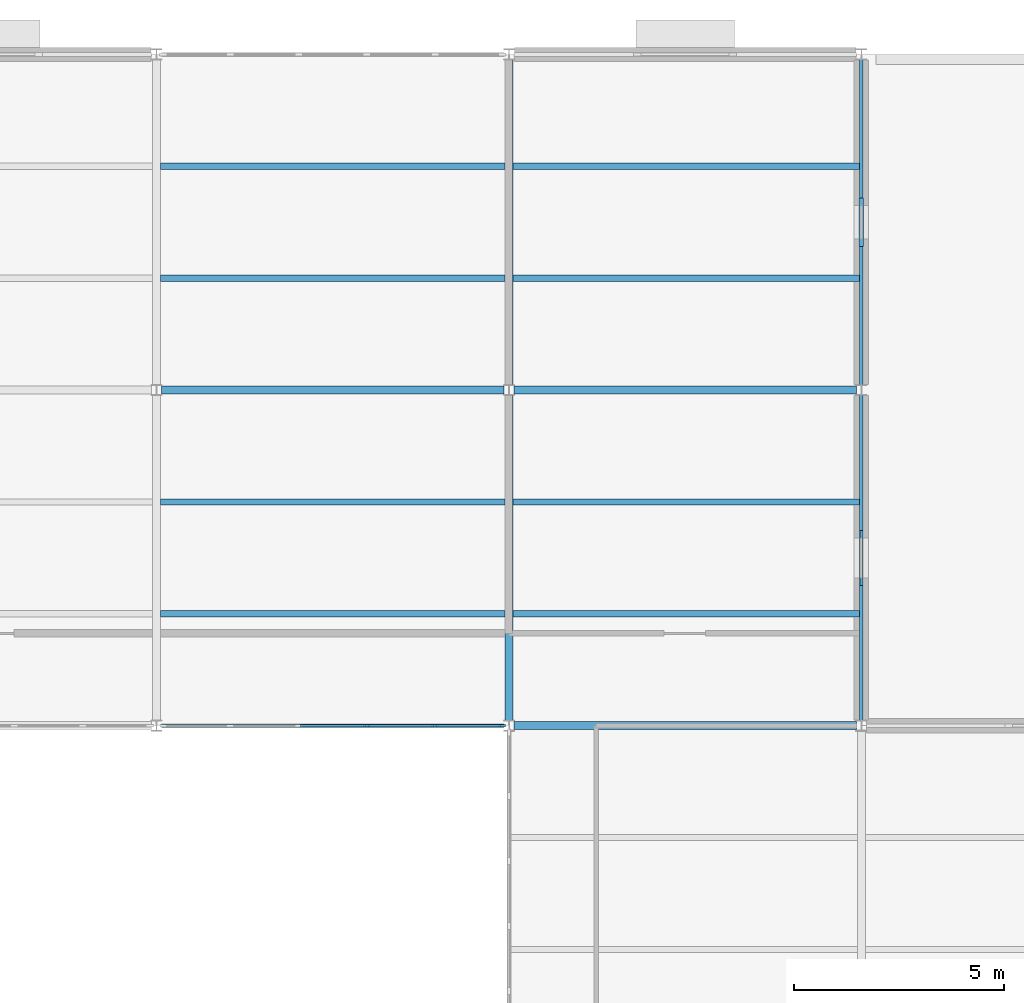
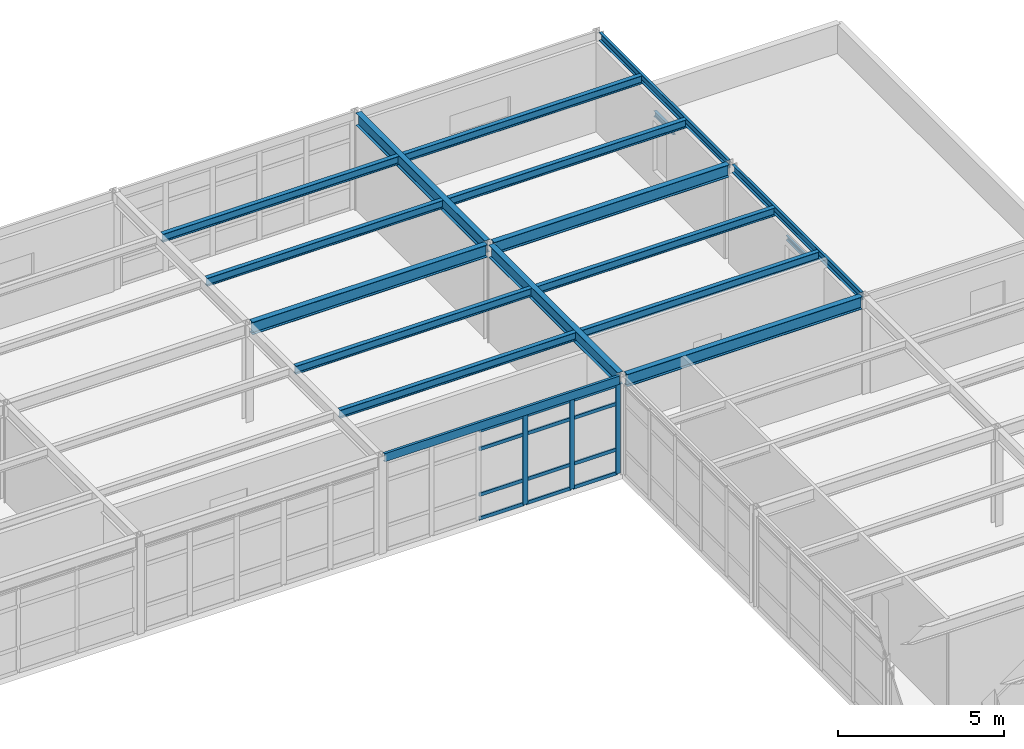
# One storey, part 29 of 53: 18 beams, 15 members, 1 element without a shape of its own.
"""IFC4 building model written with IfcOpenShell, lengths in metres."""

from ifc_helpers import new_model, si_unit, direction, frame, origin, origin_2d, place, context, subcontext, project, spatial, rectangle, i_section, u_section, extrude, material, layer, layer_set, material_profile, profile_set, type_object, element, aggregate, save


model = new_model("IFC4")

# Units and contexts
model_context = context("Model", 3, precision=1e-05, world=origin(), true_north=direction((0.0, 1.0)))
body_context = subcontext(model_context, "Body", "Model", "MODEL_VIEW")
ifc_project = project(units=[si_unit("LENGTHUNIT", "METRE"), si_unit("AREAUNIT", "SQUARE_METRE"), si_unit("VOLUMEUNIT", "CUBIC_METRE"), si_unit("PLANEANGLEUNIT", "RADIAN"), si_unit("MASSUNIT", "GRAM", prefix="KILO")], contexts=[model_context])

# Site, building, storey
site_placement = place(None, origin())
site = spatial("IfcSite", under=ifc_project, at=site_placement, CompositionType="ELEMENT")
building_placement = place(site_placement, origin())
building = spatial("IfcBuilding", under=site, at=building_placement, Name="Kranzveld Transit Interchange", CompositionType="ELEMENT")
storey_placement = place(building_placement, frame((0.0, 0.0, 13.360107421875)))
storey = spatial("IfcBuildingStorey", under=building, at=storey_placement, Name="L03", CompositionType="ELEMENT", Elevation=13.360107421875)

# Beams
ifc_material_1 = material(Name="Steel S355JR", Category="steel")
ifc_material_profile_1 = material_profile(ifc_material_1, i_section(OverallWidth=0.18994140625, OverallDepth=0.453369140625, WebThickness=0.008544921875, FlangeThickness=0.0126953125, FilletRadius=0.01025390625, at=origin_2d()), Name="UB 457x191x67")
ifc_profile_set_1 = profile_set([ifc_material_profile_1], Name="Steel S355JR")
beam_type_1 = type_object("IfcBeamType", Name="Beam Steel UB 457x191x67 S355JR", PredefinedType="BEAM", material=ifc_profile_set_1)
for number, where, z_axis, x_axis, name in (
    (1, (151.199951171875, 96.1201171875, 3.353271484375), (0.0, 1.0, 0.0), (-1.0, 0.0, 0.0), "L03 Girder 19/N-P"),
    (2, (151.199951171875, 104.1201171875, 3.353271484375), (0.0, 1.0, 0.0), (-1.0, 0.0, 0.0), "L03 Girder 19/P-Q"),
):
    element("IfcBeam", number, at=place(storey_placement, frame(where, z_axis=z_axis, x_axis=x_axis)), inside=storey, type_object=beam_type_1, Name=name, PredefinedType="BEAM", context=body_context, shape_type="SweptSolid", body=[
        extrude(i_section(OverallWidth=0.18994140625, OverallDepth=0.453369140625, WebThickness=0.008544921875, FlangeThickness=0.0126953125, FilletRadius=0.01025390625, at=origin_2d()), origin(), (0.0, 0.0, 1.0), 7.759765625),
    ])
ifc_material_2 = material(Name="Steel S355JR", Category="steel")
ifc_material_profile_2 = material_profile(ifc_material_2, i_section(OverallWidth=0.1904296875, OverallDepth=0.45703125, WebThickness=0.009033203125, FlangeThickness=0.014404296875, FilletRadius=0.01025390625, at=origin_2d()), Name="UB 457x191x74")
ifc_profile_set_2 = profile_set([ifc_material_profile_2], Name="Steel S355JR")
beam_type_2 = type_object("IfcBeamType", Name="Beam Steel UB 457x191x74 S355JR", PredefinedType="BEAM", material=ifc_profile_set_2)
beam_1_placement = place(storey_placement, frame((151.318115234375, 96.0, 3.351318359375), z_axis=(1.0, 0.0, 0.0), x_axis=(0.0, 1.0, 0.0)))
element("IfcBeam", 3, at=beam_1_placement, inside=storey, type_object=beam_type_2, Name="L03 Girder 19-20/N", PredefinedType="BEAM", context=body_context, shape_type="SweptSolid", body=[
    extrude(i_section(OverallWidth=0.1904296875, OverallDepth=0.45703125, WebThickness=0.009033203125, FlangeThickness=0.014404296875, FilletRadius=0.01025390625, at=origin_2d()), origin(), (0.0, 0.0, 1.0), 8.163818359375),
])
beam_2_placement = place(storey_placement, frame((142.918212890625, 104.0, 3.351318359375), z_axis=(1.0, 0.0, 0.0), x_axis=(0.0, 1.0, 0.0)))
element("IfcBeam", 4, at=beam_2_placement, inside=storey, type_object=beam_type_2, Name="L03 Girder 18-19/P", PredefinedType="BEAM", context=body_context, shape_type="SweptSolid", body=[
    extrude(i_section(OverallWidth=0.1904296875, OverallDepth=0.45703125, WebThickness=0.009033203125, FlangeThickness=0.014404296875, FilletRadius=0.01025390625, at=origin_2d()), origin(), (0.0, 0.0, 1.0), 8.16357421875),
])
beam_3_placement = place(storey_placement, frame((151.318115234375, 104.0, 3.351318359375), z_axis=(1.0, 0.0, 0.0), x_axis=(0.0, 1.0, 0.0)))
element("IfcBeam", 5, at=beam_3_placement, inside=storey, type_object=beam_type_2, Name="L03 Girder 19-20/P", PredefinedType="BEAM", context=body_context, shape_type="SweptSolid", body=[
    extrude(i_section(OverallWidth=0.1904296875, OverallDepth=0.45703125, WebThickness=0.009033203125, FlangeThickness=0.014404296875, FilletRadius=0.01025390625, at=origin_2d()), origin(), (0.0, 0.0, 1.0), 8.163818359375),
])

# Curtain wall, members
ifc_material_3 = material(Name="Bronze-anodised thermally broken aluminium", Category="aluminium")
ifc_layer = layer(ifc_material_3, 0.1650390625)
ifc_layer_set = layer_set([ifc_layer], Name="Bronze-anodised thermally broken aluminium")
curtain_wall_type = type_object("IfcCurtainWallType", Name="Sunny Court Arcade Curtain Wall CW-2", PredefinedType="USERDEFINED", material=ifc_layer_set)
curtain_wall_placement = place(storey_placement, origin())
curtain_wall = element("IfcCurtainWall", 6, at=curtain_wall_placement, inside=storey, type_object=curtain_wall_type, Name="L03 Curtain Wall 18/N-19/N", ObjectType="CURTAIN WALL", PredefinedType="USERDEFINED")
ifc_material_4 = material(Name="Bronze-anodised thermally broken aluminium", Category="aluminium")
ifc_material_profile_3 = material_profile(ifc_material_4, rectangle(XDim=0.06494140625, YDim=0.1650390625, at=origin_2d()), Name="ALU MULLION 65x165")
ifc_profile_set_3 = profile_set([ifc_material_profile_3], Name="Bronze-anodised thermally broken aluminium")
member_type_1 = type_object("IfcMemberType", Name="Curtain Wall Mullion 65x165 Alu", PredefinedType="MULLION", material=ifc_profile_set_3)
member_1_placement = place(storey_placement, frame((147.814453125, 96.0, 0.0), z_axis=(0.0, 0.0, 1.0), x_axis=(0.0, 1.0, 0.0)))
member_1 = element("IfcMember", 7, at=member_1_placement, type_object=member_type_1, Name="CW-2 mullion 4", PredefinedType="MULLION", context=body_context, shape_type="SweptSolid", body=[
    extrude(rectangle(XDim=0.06494140625, YDim=0.1650390625, at=origin_2d()), origin(), (0.0, 0.0, 1.0), 3.27978515625),
])
member_2_placement = place(storey_placement, frame((149.443115234375, 96.0, 0.0), z_axis=(0.0, 0.0, 1.0), x_axis=(0.0, 1.0, 0.0)))
member_2 = element("IfcMember", 8, at=member_2_placement, type_object=member_type_1, Name="CW-2 mullion 5", PredefinedType="MULLION", context=body_context, shape_type="SweptSolid", body=[
    extrude(rectangle(XDim=0.06494140625, YDim=0.1650390625, at=origin_2d()), origin(), (0.0, 0.0, 1.0), 3.27978515625),
])
member_3_placement = place(storey_placement, frame((151.039306640625, 96.0, 0.0), z_axis=(0.0, 0.0, 1.0), x_axis=(0.0, 1.0, 0.0)))
member_3 = element("IfcMember", 9, at=member_3_placement, type_object=member_type_1, Name="CW-2 mullion 6", PredefinedType="MULLION", context=body_context, shape_type="SweptSolid", body=[
    extrude(rectangle(XDim=0.06494140625, YDim=0.1650390625, at=origin_2d()), origin(), (0.0, 0.0, 1.0), 3.27978515625),
])
ifc_material_5 = material(Name="Bronze-anodised thermally broken aluminium", Category="aluminium")
ifc_material_profile_4 = material_profile(ifc_material_5, rectangle(XDim=0.06005859375, YDim=0.125, at=origin_2d()), Name="ALU TRANSOM 60x125")
ifc_profile_set_4 = profile_set([ifc_material_profile_4], Name="Bronze-anodised thermally broken aluminium")
member_type_2 = type_object("IfcMemberType", Name="Curtain Wall Transom 60x125 Alu", PredefinedType="USERDEFINED", material=ifc_profile_set_4)
member_4_placement = place(storey_placement, frame((146.218017578125, 96.0, 0.02978515625), z_axis=(1.0, 0.0, 0.0), x_axis=(0.0, 1.0, 0.0)))
member_4 = element("IfcMember", 10, at=member_4_placement, type_object=member_type_2, Name="CW-2 transom 3.1", ObjectType="TRANSOM", PredefinedType="USERDEFINED", context=body_context, shape_type="SweptSolid", body=[
    extrude(rectangle(XDim=0.06005859375, YDim=0.125, at=origin_2d()), origin(), (0.0, 0.0, 1.0), 1.56396484375),
])
member_5_placement = place(storey_placement, frame((146.218017578125, 96.0, 0.89990234375), z_axis=(1.0, 0.0, 0.0), x_axis=(0.0, 1.0, 0.0)))
member_5 = element("IfcMember", 11, at=member_5_placement, type_object=member_type_2, Name="CW-2 transom 3.2", ObjectType="TRANSOM", PredefinedType="USERDEFINED", context=body_context, shape_type="SweptSolid", body=[
    extrude(rectangle(XDim=0.06005859375, YDim=0.125, at=origin_2d()), origin(), (0.0, 0.0, 1.0), 1.56396484375),
])
member_6_placement = place(storey_placement, frame((146.218017578125, 96.0, 2.579833984375), z_axis=(1.0, 0.0, 0.0), x_axis=(0.0, 1.0, 0.0)))
member_6 = element("IfcMember", 12, at=member_6_placement, type_object=member_type_2, Name="CW-2 transom 3.3", ObjectType="TRANSOM", PredefinedType="USERDEFINED", context=body_context, shape_type="SweptSolid", body=[
    extrude(rectangle(XDim=0.06005859375, YDim=0.125, at=origin_2d()), origin(), (0.0, 0.0, 1.0), 1.56396484375),
])
member_7_placement = place(storey_placement, frame((146.218017578125, 96.0, 3.25), z_axis=(1.0, 0.0, 0.0), x_axis=(0.0, 1.0, 0.0)))
member_7 = element("IfcMember", 13, at=member_7_placement, type_object=member_type_2, Name="CW-2 transom 3.4", ObjectType="TRANSOM", PredefinedType="USERDEFINED", context=body_context, shape_type="SweptSolid", body=[
    extrude(rectangle(XDim=0.06005859375, YDim=0.125, at=origin_2d()), origin(), (0.0, 0.0, 1.0), 1.56396484375),
])
member_8_placement = place(storey_placement, frame((147.846923828125, 96.0, 0.02978515625), z_axis=(1.0, 0.0, 0.0), x_axis=(0.0, 1.0, 0.0)))
member_8 = element("IfcMember", 14, at=member_8_placement, type_object=member_type_2, Name="CW-2 transom 4.1", ObjectType="TRANSOM", PredefinedType="USERDEFINED", context=body_context, shape_type="SweptSolid", body=[
    extrude(rectangle(XDim=0.06005859375, YDim=0.125, at=origin_2d()), origin(), (0.0, 0.0, 1.0), 1.563720703125),
])
member_9_placement = place(storey_placement, frame((147.846923828125, 96.0, 0.89990234375), z_axis=(1.0, 0.0, 0.0), x_axis=(0.0, 1.0, 0.0)))
member_9 = element("IfcMember", 15, at=member_9_placement, type_object=member_type_2, Name="CW-2 transom 4.2", ObjectType="TRANSOM", PredefinedType="USERDEFINED", context=body_context, shape_type="SweptSolid", body=[
    extrude(rectangle(XDim=0.06005859375, YDim=0.125, at=origin_2d()), origin(), (0.0, 0.0, 1.0), 1.563720703125),
])
member_10_placement = place(storey_placement, frame((147.846923828125, 96.0, 2.579833984375), z_axis=(1.0, 0.0, 0.0), x_axis=(0.0, 1.0, 0.0)))
member_10 = element("IfcMember", 16, at=member_10_placement, type_object=member_type_2, Name="CW-2 transom 4.3", ObjectType="TRANSOM", PredefinedType="USERDEFINED", context=body_context, shape_type="SweptSolid", body=[
    extrude(rectangle(XDim=0.06005859375, YDim=0.125, at=origin_2d()), origin(), (0.0, 0.0, 1.0), 1.563720703125),
])
member_11_placement = place(storey_placement, frame((147.846923828125, 96.0, 3.25), z_axis=(1.0, 0.0, 0.0), x_axis=(0.0, 1.0, 0.0)))
member_11 = element("IfcMember", 17, at=member_11_placement, type_object=member_type_2, Name="CW-2 transom 4.4", ObjectType="TRANSOM", PredefinedType="USERDEFINED", context=body_context, shape_type="SweptSolid", body=[
    extrude(rectangle(XDim=0.06005859375, YDim=0.125, at=origin_2d()), origin(), (0.0, 0.0, 1.0), 1.563720703125),
])
member_12_placement = place(storey_placement, frame((149.4755859375, 96.0, 0.02978515625), z_axis=(1.0, 0.0, 0.0), x_axis=(0.0, 1.0, 0.0)))
member_12 = element("IfcMember", 18, at=member_12_placement, type_object=member_type_2, Name="CW-2 transom 5.1", ObjectType="TRANSOM", PredefinedType="USERDEFINED", context=body_context, shape_type="SweptSolid", body=[
    extrude(rectangle(XDim=0.06005859375, YDim=0.125, at=origin_2d()), origin(), (0.0, 0.0, 1.0), 1.53125),
])
member_13_placement = place(storey_placement, frame((149.4755859375, 96.0, 0.89990234375), z_axis=(1.0, 0.0, 0.0), x_axis=(0.0, 1.0, 0.0)))
member_13 = element("IfcMember", 19, at=member_13_placement, type_object=member_type_2, Name="CW-2 transom 5.2", ObjectType="TRANSOM", PredefinedType="USERDEFINED", context=body_context, shape_type="SweptSolid", body=[
    extrude(rectangle(XDim=0.06005859375, YDim=0.125, at=origin_2d()), origin(), (0.0, 0.0, 1.0), 1.53125),
])
member_14_placement = place(storey_placement, frame((149.4755859375, 96.0, 2.579833984375), z_axis=(1.0, 0.0, 0.0), x_axis=(0.0, 1.0, 0.0)))
member_14 = element("IfcMember", 20, at=member_14_placement, type_object=member_type_2, Name="CW-2 transom 5.3", ObjectType="TRANSOM", PredefinedType="USERDEFINED", context=body_context, shape_type="SweptSolid", body=[
    extrude(rectangle(XDim=0.06005859375, YDim=0.125, at=origin_2d()), origin(), (0.0, 0.0, 1.0), 1.53125),
])
member_15_placement = place(storey_placement, frame((149.4755859375, 96.0, 3.25), z_axis=(1.0, 0.0, 0.0), x_axis=(0.0, 1.0, 0.0)))
member_15 = element("IfcMember", 21, at=member_15_placement, type_object=member_type_2, Name="CW-2 transom 5.4", ObjectType="TRANSOM", PredefinedType="USERDEFINED", context=body_context, shape_type="SweptSolid", body=[
    extrude(rectangle(XDim=0.06005859375, YDim=0.125, at=origin_2d()), origin(), (0.0, 0.0, 1.0), 1.53125),
])
aggregate(curtain_wall, [member_1, member_2, member_3, member_4, member_5, member_6, member_7, member_8, member_9, member_10, member_11, member_12, member_13, member_14, member_15])

# Beams
ifc_material_6 = material(Name="Steel S355JR", Category="steel")
ifc_material_profile_5 = material_profile(ifc_material_6, i_section(OverallWidth=0.14990234375, OverallDepth=0.300048828125, WebThickness=0.007080078125, FlangeThickness=0.0107421875, FilletRadius=0.014892578125, at=origin_2d()), Name="IPE 300")
ifc_profile_set_5 = profile_set([ifc_material_profile_5], Name="Steel S355JR")
beam_type_3 = type_object("IfcBeamType", Name="Deck Joist IPE 300 S355JR", PredefinedType="JOIST", material=ifc_profile_set_5)
for number, where, z_axis, x_axis, name in (
    (22, (142.89697265625, 98.666748046875, 3.429931640625), (1.0, 0.0, 0.0), (0.0, 1.0, 0.0), "L03 Secondary Joist 18-19/N.1"),
    (23, (142.89697265625, 101.333251953125, 3.429931640625), (1.0, 0.0, 0.0), (0.0, 1.0, 0.0), "L03 Secondary Joist 18-19/N.2"),
    (24, (142.89697265625, 106.666748046875, 3.429931640625), (1.0, 0.0, 0.0), (0.0, 1.0, 0.0), "L03 Secondary Joist 18-19/P.1"),
    (25, (142.89697265625, 109.333251953125, 3.429931640625), (1.0, 0.0, 0.0), (0.0, 1.0, 0.0), "L03 Secondary Joist 18-19/P.2"),
):
    element("IfcBeam", number, at=place(storey_placement, frame(where, z_axis=z_axis, x_axis=x_axis)), inside=storey, type_object=beam_type_3, Name=name, PredefinedType="JOIST", context=body_context, shape_type="SweptSolid", body=[
        extrude(i_section(OverallWidth=0.14990234375, OverallDepth=0.300048828125, WebThickness=0.007080078125, FlangeThickness=0.0107421875, FilletRadius=0.014892578125, at=origin_2d()), origin(), (0.0, 0.0, 1.0), 8.2060546875),
    ])
for number, where, z_axis, x_axis, name in (
    (26, (151.296875, 98.666748046875, 3.429931640625), (1.0, 0.0, 0.0), (0.0, 1.0, 0.0), "L03 Secondary Joist 19-20/N.1"),
    (27, (151.296875, 101.333251953125, 3.429931640625), (1.0, 0.0, 0.0), (0.0, 1.0, 0.0), "L03 Secondary Joist 19-20/N.2"),
    (28, (151.296875, 106.666748046875, 3.429931640625), (1.0, 0.0, 0.0), (0.0, 1.0, 0.0), "L03 Secondary Joist 19-20/P.1"),
    (29, (151.296875, 109.333251953125, 3.429931640625), (1.0, 0.0, 0.0), (0.0, 1.0, 0.0), "L03 Secondary Joist 19-20/P.2"),
):
    element("IfcBeam", number, at=place(storey_placement, frame(where, z_axis=z_axis, x_axis=x_axis)), inside=storey, type_object=beam_type_3, Name=name, PredefinedType="JOIST", context=body_context, shape_type="SweptSolid", body=[
        extrude(i_section(OverallWidth=0.14990234375, OverallDepth=0.300048828125, WebThickness=0.007080078125, FlangeThickness=0.0107421875, FilletRadius=0.014892578125, at=origin_2d()), origin(), (0.0, 0.0, 1.0), 8.256103515625),
    ])
ifc_material_7 = material(Name="Steel S355JR", Category="steel")
ifc_material_profile_6 = material_profile(ifc_material_7, u_section(Depth=0.300048828125, FlangeWidth=0.090087890625, WebThickness=0.009033203125, FlangeThickness=0.015380859375, FilletRadius=0.011962890625, at=origin_2d()), Name="PFC 300x90x41")
ifc_profile_set_6 = profile_set([ifc_material_profile_6], Name="Steel S355JR")
beam_type_4 = type_object("IfcBeamType", Name="Edge Spandrel PFC 300x90x41 S355JR", PredefinedType="SPANDREL", material=ifc_profile_set_6)
beam_4_placement = place(storey_placement, frame((142.918212890625, 96.0, 3.429931640625), z_axis=(1.0, 0.0, 0.0), x_axis=(0.0, 1.0, 0.0)))
element("IfcBeam", 30, at=beam_4_placement, inside=storey, type_object=beam_type_4, Name="L03 Girder 18-19/N", PredefinedType="SPANDREL", context=body_context, shape_type="SweptSolid", body=[
    extrude(u_section(Depth=0.300048828125, FlangeWidth=0.090087890625, WebThickness=0.009033203125, FlangeThickness=0.015380859375, FilletRadius=0.011962890625, at=origin_2d()), origin(), (0.0, 0.0, 1.0), 8.16357421875),
])
for number, where, z_axis, x_axis, name in (
    (31, (159.60009765625, 96.1201171875, 3.429931640625), (0.0, 1.0, 0.0), (-1.0, 0.0, 0.0), "L03 Girder 20/N-P"),
    (32, (159.60009765625, 104.1201171875, 3.429931640625), (0.0, 1.0, 0.0), (-1.0, 0.0, 0.0), "L03 Girder 20/P-Q"),
):
    element("IfcBeam", number, at=place(storey_placement, frame(where, z_axis=z_axis, x_axis=x_axis)), inside=storey, type_object=beam_type_4, Name=name, PredefinedType="SPANDREL", context=body_context, shape_type="SweptSolid", body=[
        extrude(u_section(Depth=0.300048828125, FlangeWidth=0.090087890625, WebThickness=0.009033203125, FlangeThickness=0.015380859375, FilletRadius=0.011962890625, at=origin_2d()), origin(), (0.0, 0.0, 1.0), 7.759765625),
    ])
ifc_material_8 = material(Name="Steel S355JR", Category="steel")
ifc_material_profile_7 = material_profile(ifc_material_8, u_section(Depth=0.179931640625, FlangeWidth=0.070068359375, WebThickness=0.007080078125, FlangeThickness=0.010986328125, FilletRadius=0.010009765625, at=origin_2d()), Name="PFC 180x70x22")
ifc_profile_set_7 = profile_set([ifc_material_profile_7], Name="Steel S355JR")
beam_type_5 = type_object("IfcBeamType", Name="Masonry Lintel PFC 180x70x22 S355JR", PredefinedType="LINTEL", material=ifc_profile_set_7)
beam_5_placement = place(storey_placement, frame((159.60009765625, 99.344970703125, 2.844970703125), z_axis=(0.0, 1.0, 0.0), x_axis=(-1.0, 0.0, 0.0)))
element("IfcBeam", 33, at=beam_5_placement, inside=storey, type_object=beam_type_5, Name="L03 Window Lintel 197", PredefinedType="LINTEL", context=body_context, shape_type="SweptSolid", body=[
    extrude(u_section(Depth=0.179931640625, FlangeWidth=0.070068359375, WebThickness=0.007080078125, FlangeThickness=0.010986328125, FilletRadius=0.010009765625, at=origin_2d()), origin(), (0.0, 0.0, 1.0), 1.31005859375),
])
ifc_material_9 = material(Name="Steel S355JR", Category="steel")
ifc_material_profile_8 = material_profile(ifc_material_9, i_section(OverallWidth=0.10009765625, OverallDepth=0.199951171875, WebThickness=0.005615234375, FlangeThickness=0.008544921875, FilletRadius=0.011962890625, at=origin_2d()), Name="IPE 200")
ifc_profile_set_8 = profile_set([ifc_material_profile_8], Name="Steel S355JR")
beam_type_6 = type_object("IfcBeamType", Name="Opening Lintel IPE 200 S355JR", PredefinedType="LINTEL", material=ifc_profile_set_8)
beam_6_placement = place(storey_placement, frame((159.60009765625, 107.419921875, 2.60498046875), z_axis=(0.0, 1.0, 0.0), x_axis=(-1.0, 0.0, 0.0)))
element("IfcBeam", 34, at=beam_6_placement, inside=storey, type_object=beam_type_6, Name="L03 Window Lintel 198", PredefinedType="LINTEL", context=body_context, shape_type="SweptSolid", body=[
    extrude(i_section(OverallWidth=0.10009765625, OverallDepth=0.199951171875, WebThickness=0.005615234375, FlangeThickness=0.008544921875, FilletRadius=0.011962890625, at=origin_2d()), origin(), (0.0, 0.0, 1.0), 1.16015625),
])

save(model, "model.ifc")
